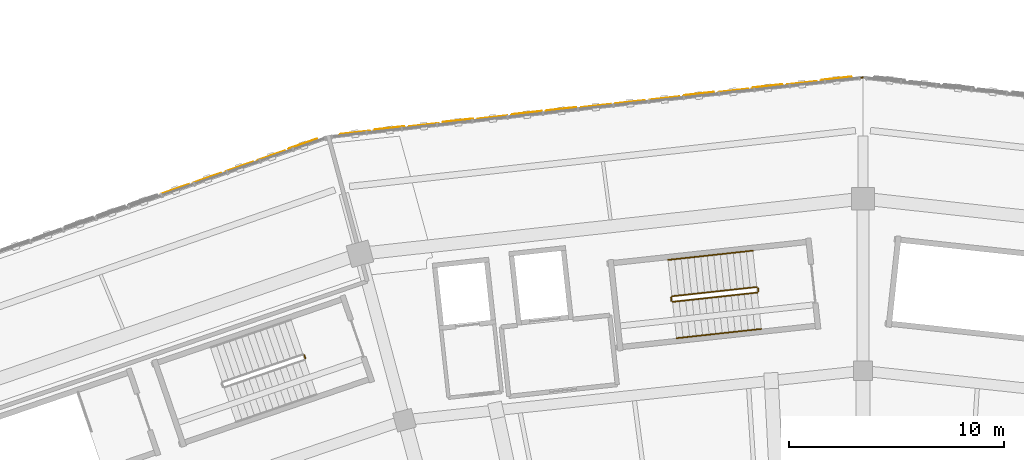
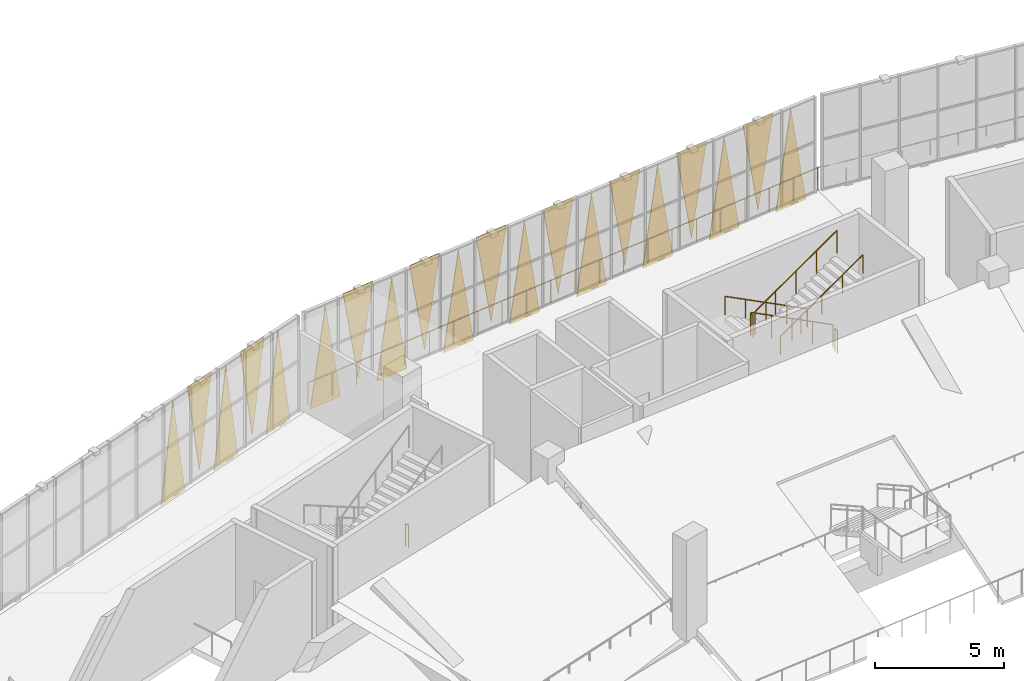
# One storey, part 145 of 152: 20 coverings, 8 railings.
"""IFC4 building model written with IfcOpenShell, lengths in metres."""

import ifcopenshell
import ifcopenshell.guid

model = None  # the IFC model being written
_history = None  # IfcOwnerHistory: only IFC2X3 demands one
_inside = {}  # id of a spatial element -> (the spatial element, [elements in it])
_under = {}  # id of a project, library or spatial element -> (it, [spatial elements below it])
_declared = {}  # id of a project -> (the project, [libraries it declares])
_typed = {}  # id of a type object -> (the type object, [elements of that type])
_made_of = {}  # id of a material, layer set ... -> (it, [elements and type objects made of it])


def new_model(schema):
    """Start an empty IFC model of exactly this schema.

    Asked for "IFC4X3", IfcOpenShell would pick the latest addendum, in which some entities
    have other attributes; the version numbers below select the first issue.
    IFC2X3 requires an IfcOwnerHistory on every rooted entity: one is made here for all.
    """
    global model, _history
    if schema == "IFC4X3":
        model = ifcopenshell.file(schema_version=(4, 3, 0, 0))
    else:
        model = ifcopenshell.file(schema=schema)
    _inside.clear()
    _under.clear()
    _declared.clear()
    _typed.clear()
    _made_of.clear()
    _history = None
    if model.schema == "IFC2X3":
        org = make("IfcOrganization", Name="unknown")
        user = make(
            "IfcPersonAndOrganization",
            ThePerson=make("IfcPerson", FamilyName="unknown"),
            TheOrganization=org,
        )
        app = make(
            "IfcApplication",
            ApplicationDeveloper=org,
            Version="unknown",
            ApplicationFullName="unknown",
            ApplicationIdentifier="unknown",
        )
        _history = make(
            "IfcOwnerHistory",
            OwningUser=user,
            OwningApplication=app,
            ChangeAction="ADDED",
            CreationDate=0,
        )
    return model


def make(cls, **values):
    """One entity of the class cls with the attributes given. An attribute that is None is left unset."""
    return model.create_entity(
        cls, **{name: value for name, value in values.items() if value is not None}
    )


def rooted(cls, **values):
    """An entity with a GlobalId (a new one), such as an element, a storey or a relation."""
    return make(cls, GlobalId=ifcopenshell.guid.new(), OwnerHistory=_history, **values)


def si_unit(unit_type, name, prefix=None):
    """IfcSIUnit, for example si_unit("LENGTHUNIT", "METRE", prefix="MILLI")."""
    return make("IfcSIUnit", UnitType=unit_type, Prefix=prefix, Name=name)


def assignment(units):
    """IfcUnitAssignment: the units of a project."""
    return None if units is None else make("IfcUnitAssignment", Units=units)


def point(xyz):
    """IfcCartesianPoint."""
    return None if xyz is None else make("IfcCartesianPoint", Coordinates=xyz)


def direction(xyz):
    """IfcDirection."""
    return None if xyz is None else make("IfcDirection", DirectionRatios=xyz)


def frame(location, z_axis=None, x_axis=None):
    """IfcAxis2Placement3D, a coordinate frame: its origin and axes. An axis left out is left unset."""
    return make(
        "IfcAxis2Placement3D",
        Location=point(location),
        Axis=direction(z_axis),
        RefDirection=direction(x_axis),
    )


def frame_2d(location, x_axis=None):
    """IfcAxis2Placement2D, a coordinate frame in the plane: its origin and x axis."""
    return make(
        "IfcAxis2Placement2D", Location=point(location), RefDirection=direction(x_axis)
    )


def origin():
    """The frame at (0, 0, 0) with its axes left unset."""
    return frame((0.0, 0.0, 0.0))


def origin_2d():
    """The frame at (0, 0) in the plane with its x axis left unset."""
    return frame_2d((0.0, 0.0))


def place(relative_to, where):
    """IfcLocalPlacement: puts the frame where relative to a parent placement (None: the world)."""
    return make(
        "IfcLocalPlacement", PlacementRelTo=relative_to, RelativePlacement=where
    )


def context(
    kind, dimensions, precision=None, world=None, true_north=None, identifier=None
):
    """IfcGeometricRepresentationContext, for example the 3D "Model" context."""
    return make(
        "IfcGeometricRepresentationContext",
        ContextIdentifier=identifier,
        ContextType=kind,
        CoordinateSpaceDimension=dimensions,
        Precision=precision,
        WorldCoordinateSystem=world,
        TrueNorth=true_north,
    )


def subcontext(parent, identifier, kind, view, scale=None):
    """IfcGeometricRepresentationSubContext, for example "Body" below "Model"."""
    return make(
        "IfcGeometricRepresentationSubContext",
        ContextIdentifier=identifier,
        ContextType=kind,
        ParentContext=parent,
        TargetScale=scale,
        TargetView=view,
    )


def project(units=None, contexts=None):
    """IfcProject with its units and contexts."""
    return rooted(
        "IfcProject",
        Name="project",
        RepresentationContexts=contexts,
        UnitsInContext=assignment(units),
    )


def spatial(cls, under=None, at=None, **own):
    """A site, building, storey or space (cls), placed at a placement, below another one or the project."""
    s = rooted(cls, ObjectPlacement=at, **own)
    if under is not None:
        _under.setdefault(under.id(), (under, []))[1].append(s)
    return s


def polyline(points):
    """IfcPolyline through the points."""
    return make("IfcPolyline", Points=[point(p) for p in points])


def profile(cls, at=None, kind="AREA", **sizes):
    """A parametric profile (cls). Its sizes go by their IFC names, for example OverallWidth=200.0."""
    return make(cls, ProfileType=kind, Position=at, **sizes)


def circle(**sizes):
    """IfcCircleProfileDef."""
    return profile("IfcCircleProfileDef", **sizes)


def outline(outer, holes=None, kind="AREA"):
    """IfcArbitraryClosedProfileDef: a profile drawn as a closed curve; with holes, ...WithVoids."""
    if holes is None:
        return make("IfcArbitraryClosedProfileDef", ProfileType=kind, OuterCurve=outer)
    return make(
        "IfcArbitraryProfileDefWithVoids",
        ProfileType=kind,
        OuterCurve=outer,
        InnerCurves=holes,
    )


def extrude(swept, where, along, depth):
    """IfcExtrudedAreaSolid: the profile swept, set in the frame where, extruded along a direction by depth."""
    return make(
        "IfcExtrudedAreaSolid",
        SweptArea=swept,
        Position=where,
        ExtrudedDirection=direction(along),
        Depth=depth,
    )


def shape(context_of_items, identifier, shape_type, items):
    """IfcShapeRepresentation: the items that make up one representation, for example the "Body"."""
    return make(
        "IfcShapeRepresentation",
        ContextOfItems=context_of_items,
        RepresentationIdentifier=identifier,
        RepresentationType=shape_type,
        Items=items,
    )


def material(Name=None, Category=None):
    """IfcMaterial."""
    return make("IfcMaterial", Name=Name, Category=Category)


def layer(
    of_material, thickness, ventilated=None, Name=None, Category=None, Priority=None
):
    """IfcMaterialLayer: one layer of a wall or slab, of a material (None: an air gap)."""
    return make(
        "IfcMaterialLayer",
        Material=of_material,
        LayerThickness=thickness,
        IsVentilated=ventilated,
        Name=Name,
        Category=Category,
        Priority=Priority,
    )


def layer_set(layers, Name=None):
    """IfcMaterialLayerSet."""
    return make("IfcMaterialLayerSet", MaterialLayers=layers, LayerSetName=Name)


def made_of(thing, what):
    """Note that an element or type object is made of a material, layer set ...; save() writes the relation."""
    if what is not None:
        _made_of.setdefault(what.id(), (what, []))[1].append(thing)
    return thing


def type_object(cls, material=None, **own):
    """A type object (cls), such as IfcWallType, which elements share."""
    return made_of(rooted(cls, **own), material)


def element(
    cls,
    number,
    at=None,
    inside=None,
    cuts=None,
    type_object=None,
    material=None,
    context=None,
    identifier="Body",
    shape_type=None,
    held_by="IfcProductDefinitionShape",
    body=None,
    shapes=None,
    **own,
):
    """One element of the class cls, such as IfcWall. Its Tag is "e" and its number.

    at: its placement. inside: the storey or other place that contains it. cuts: it is an
    opening in that element (IfcRelVoidsElement). A single representation is given by context,
    identifier, shape_type and body (its items); several are given by shapes. held_by: the class
    of the entity that holds the representations. save() writes the other relations.
    """
    e = rooted(cls, Tag="e%d" % number, ObjectPlacement=at, **own)
    if body is not None:
        shapes = [shape(context, identifier, shape_type, body)]
    if shapes is not None:
        e.Representation = make(held_by, Representations=shapes)
    if inside is not None:
        _inside.setdefault(inside.id(), (inside, []))[1].append(e)
    if cuts is not None:
        rooted(
            "IfcRelVoidsElement", RelatingBuildingElement=cuts, RelatedOpeningElement=e
        )
    if type_object is not None:
        _typed.setdefault(type_object.id(), (type_object, []))[1].append(e)
    return made_of(e, material)


def aggregate(whole, parts):
    """IfcRelAggregates: a whole, such as a stair, and the parts it consists of."""
    return rooted("IfcRelAggregates", RelatingObject=whole, RelatedObjects=parts)


def save(model, path):
    """Write the relations noted so far, then the file.

    IfcRelAggregates (storeys below a building ...), IfcRelContainedInSpatialStructure (elements
    in a storey), IfcRelDefinesByType, IfcRelAssociatesMaterial and IfcRelDeclares: one each for
    every whole, place, type object, material and project.
    """
    for whole, parts in _under.values():
        aggregate(whole, parts)
    for where, things in _inside.values():
        rooted(
            "IfcRelContainedInSpatialStructure",
            RelatedElements=things,
            RelatingStructure=where,
        )
    for kind, things in _typed.values():
        rooted("IfcRelDefinesByType", RelatedObjects=things, RelatingType=kind)
    for what, things in _made_of.values():
        rooted("IfcRelAssociatesMaterial", RelatedObjects=things, RelatingMaterial=what)
    for by, libraries in _declared.values():
        rooted("IfcRelDeclares", RelatingContext=by, RelatedDefinitions=libraries)
    model.write(path)


model = new_model("IFC4")

# Units and contexts
model_context = context("Model", 3, precision=1e-05, world=origin(), true_north=direction((0.0, 1.0)))
body_context = subcontext(model_context, "Body", "Model", "MODEL_VIEW")
ifc_project = project(units=[si_unit("LENGTHUNIT", "METRE"), si_unit("AREAUNIT", "SQUARE_METRE"), si_unit("VOLUMEUNIT", "CUBIC_METRE"), si_unit("PLANEANGLEUNIT", "RADIAN"), si_unit("MASSUNIT", "GRAM", prefix="KILO")], contexts=[model_context])

# Site, building, storey
site_placement = place(None, origin())
site = spatial("IfcSite", under=ifc_project, at=site_placement, CompositionType="ELEMENT")
building_placement = place(site_placement, origin())
building = spatial("IfcBuilding", under=site, at=building_placement, Name="Zevraka Park Crest Stadium", CompositionType="ELEMENT")
storey_placement = place(building_placement, frame((0.0, 0.0, 15.0)))
storey = spatial("IfcBuildingStorey", under=building, at=storey_placement, Name="L03", CompositionType="ELEMENT", Elevation=15.0)

# Coverings
ifc_material_1 = material(Name="Architectural golden-bronze perforated aluminium", Category="aluminium")
ifc_layer = layer(ifc_material_1, 0.034912109375)
ifc_layer_set = layer_set([ifc_layer], Name="Architectural golden-bronze perforated aluminium")
covering_type = type_object("IfcCoveringType", Name="CLD01", PredefinedType="CLADDING", material=ifc_layer_set)
covering_1_placement = place(storey_placement, frame((111.472900390625, 172.94091796875, -0.260009765625), z_axis=(0.109857339416, -0.993947356621, 0.000131307778), x_axis=(-0.99394736519, -0.109857340363, 0.0)))
element("IfcCovering", 1, at=covering_1_placement, inside=storey, type_object=covering_type, Name="Triangular Golden-Bronze Perforated Cladding L03-06-1", PredefinedType="CLADDING", context=body_context, shape_type="SweptSolid", body=[
    extrude(outline(polyline([(0.0, 0.0), (1.4467448997915233, 3.3881317890172014e-21), (0.7233053982964189, -4.620117227329413), (0.0, 0.0)])), origin(), (0.0, 0.0, -1.0), 0.034912109375),
])
covering_2_placement = place(storey_placement, frame((108.43896484375, 172.60400390625, 4.52001953125), z_axis=(-0.110598317724, 0.993865187976, 1.5655252e-05), x_axis=(0.993865188098, 0.110598317738, 0.0)))
element("IfcCovering", 2, at=covering_2_placement, inside=storey, type_object=covering_type, Name="Triangular Golden-Bronze Perforated Cladding L03-06-2", PredefinedType="CLADDING", context=body_context, shape_type="SweptSolid", body=[
    extrude(outline(polyline([(0.0, 0.0), (1.4458819324376355, 0.0), (0.723439752726402, 4.300048828651943), (0.0, 0.0)])), origin(), (0.0, 0.0, -1.0), 0.034912109375),
])
covering_3_placement = place(storey_placement, frame((108.280029296875, 172.5869140625, -0.260009765625), z_axis=(0.110524126296, -0.993873441046, 2.6259603e-05), x_axis=(-0.993873441389, -0.110524126334, 0.0)))
element("IfcCovering", 3, at=covering_3_placement, inside=storey, type_object=covering_type, Name="Triangular Golden-Bronze Perforated Cladding L03-06-3", PredefinedType="CLADDING", context=body_context, shape_type="SweptSolid", body=[
    extrude(outline(polyline([(0.0, 0.0), (1.446852507941667, 0.0), (0.723412762256193, -4.62011718909294), (0.0, 0.0)])), origin(), (0.0, 0.0, -1.0), 0.034912109375),
])
covering_4_placement = place(storey_placement, frame((105.2451171875, 172.25, 4.52001953125), z_axis=(-0.10985733927, 0.993947355298, 0.000141081496), x_axis=(0.99394736519, 0.109857340363, 0.0)))
element("IfcCovering", 4, at=covering_4_placement, inside=storey, type_object=covering_type, Name="Triangular Golden-Bronze Perforated Cladding L03-06-4", PredefinedType="CLADDING", context=body_context, shape_type="SweptSolid", body=[
    extrude(outline(polyline([(0.0, 0.0), (1.4467448997915233, 0.0), (0.7234395014951044, 4.300048870919063), (0.0, 0.0)])), origin(), (0.0, 0.0, -1.0), 0.034912109375),
])
covering_5_placement = place(storey_placement, frame((105.0859375, 172.23193359375, -0.260009765625), z_axis=(0.110524126296, -0.993873441046, 2.6259603e-05), x_axis=(-0.993873441389, -0.110524126334, 0.0)))
element("IfcCovering", 5, at=covering_5_placement, inside=storey, type_object=covering_type, Name="Triangular Golden-Bronze Perforated Cladding L03-06-5", PredefinedType="CLADDING", context=body_context, shape_type="SweptSolid", body=[
    extrude(outline(polyline([(0.0, 0.0), (1.446852507941667, 0.0), (0.723412762256193, -4.62011718909294), (0.0, 0.0)])), origin(), (0.0, 0.0, -1.0), 0.034912109375),
])
covering_6_placement = place(storey_placement, frame((102.051025390625, 171.89501953125, 4.52001953125), z_axis=(-0.11052412629, 0.993873440993, 2.8214201e-05), x_axis=(0.993873441389, 0.110524126334, 0.0)))
element("IfcCovering", 6, at=covering_6_placement, inside=storey, type_object=covering_type, Name="Triangular Golden-Bronze Perforated Cladding L03-06-6", PredefinedType="CLADDING", context=body_context, shape_type="SweptSolid", body=[
    extrude(outline(polyline([(0.0, 0.0), (1.446852507941667, 0.0), (0.7234397456854739, 4.300048829836508), (0.0, 0.0)])), origin(), (0.0, 0.0, -1.0), 0.034912109375),
])
covering_7_placement = place(storey_placement, frame((101.89208984375, 171.876953125, -0.260009765625), z_axis=(-0.109857340022, 0.993947362105, 7.8784667e-05), x_axis=(-0.99394736519, -0.109857340363, 0.0)))
element("IfcCovering", 7, at=covering_7_placement, inside=storey, type_object=covering_type, Name="Triangular Golden-Bronze Perforated Cladding L03-06-7", PredefinedType="CLADDING", context=body_context, shape_type="SweptSolid", body=[
    extrude(outline(polyline([(0.0, 0.0), (1.4467448997915233, 1.6940658945086007e-21), (0.7234126808553673, 4.62011720183859), (0.0, 0.0)])), origin(), (0.0, 0.0, -1.0), 0.034912109375),
])
covering_8_placement = place(storey_placement, frame((98.85791015625, 171.5400390625, 4.52001953125), z_axis=(-0.110598317724, 0.993865187976, 1.5655252e-05), x_axis=(0.993865188098, 0.110598317738, 0.0)))
element("IfcCovering", 8, at=covering_8_placement, inside=storey, type_object=covering_type, Name="Triangular Golden-Bronze Perforated Cladding L03-06-8", PredefinedType="CLADDING", context=body_context, shape_type="SweptSolid", body=[
    extrude(outline(polyline([(0.0, 0.0), (1.4458819324376355, 0.0), (0.723439752726402, 4.300048828651943), (0.0, 0.0)])), origin(), (0.0, 0.0, -1.0), 0.034912109375),
])
covering_9_placement = place(storey_placement, frame((98.698974609375, 171.52197265625, -0.260009765625), z_axis=(0.109857339416, -0.993947356621, 0.000131307778), x_axis=(-0.99394736519, -0.109857340363, 0.0)))
element("IfcCovering", 9, at=covering_9_placement, inside=storey, type_object=covering_type, Name="Triangular Golden-Bronze Perforated Cladding L03-06-9", PredefinedType="CLADDING", context=body_context, shape_type="SweptSolid", body=[
    extrude(outline(polyline([(0.0, 0.0), (1.4467448997915233, 3.3881317890172014e-21), (0.7233053982964189, -4.620117227329413), (0.0, 0.0)])), origin(), (0.0, 0.0, -1.0), 0.034912109375),
])
covering_10_placement = place(storey_placement, frame((95.6640625, 171.18505859375, 4.52001953125), z_axis=(0.11052412629, -0.993873440993, 2.8214201e-05), x_axis=(0.993873441389, 0.110524126334, 0.0)))
element("IfcCovering", 10, at=covering_10_placement, inside=storey, type_object=covering_type, Name="Triangular Golden-Bronze Perforated Cladding L03-06-10", PredefinedType="CLADDING", context=body_context, shape_type="SweptSolid", body=[
    extrude(outline(polyline([(0.0, 0.0), (1.446852507941667, 0.0), (0.723412762256193, -4.300048829836508), (0.0, 0.0)])), origin(), (0.0, 0.0, -1.0), 0.034912109375),
])
covering_11_placement = place(storey_placement, frame((95.5048828125, 171.16796875, -0.260009765625), z_axis=(-0.110524126296, 0.993873441046, 2.6259603e-05), x_axis=(-0.993873441389, -0.110524126334, 0.0)))
element("IfcCovering", 11, at=covering_11_placement, inside=storey, type_object=covering_type, Name="Triangular Golden-Bronze Perforated Cladding L03-06-11", PredefinedType="CLADDING", context=body_context, shape_type="SweptSolid", body=[
    extrude(outline(polyline([(0.0, 0.0), (1.446852507941667, 0.0), (0.7234397456854739, 4.62011718909294), (0.0, 0.0)])), origin(), (0.0, 0.0, -1.0), 0.034912109375),
])
covering_12_placement = place(storey_placement, frame((92.469970703125, 170.8310546875, 4.52001953125), z_axis=(0.10985733927, -0.993947355298, 0.000141081496), x_axis=(0.99394736519, 0.109857340363, 0.0)))
element("IfcCovering", 12, at=covering_12_placement, inside=storey, type_object=covering_type, Name="Triangular Golden-Bronze Perforated Cladding L03-06-12", PredefinedType="CLADDING", context=body_context, shape_type="SweptSolid", body=[
    extrude(outline(polyline([(0.0, 0.0), (1.4467448997915233, 0.0), (0.7233053982964189, -4.300048870919063), (0.0, 0.0)])), origin(), (0.0, 0.0, -1.0), 0.034912109375),
])
covering_13_placement = place(storey_placement, frame((92.31103515625, 170.81298828125, -0.260009765625), z_axis=(-0.110524126296, 0.993873441046, 2.6259603e-05), x_axis=(-0.993873441389, -0.110524126334, 0.0)))
element("IfcCovering", 13, at=covering_13_placement, inside=storey, type_object=covering_type, Name="Triangular Golden-Bronze Perforated Cladding L03-06-13", PredefinedType="CLADDING", context=body_context, shape_type="SweptSolid", body=[
    extrude(outline(polyline([(0.0, 0.0), (1.446852507941667, 0.0), (0.7234397456854739, 4.62011718909294), (0.0, 0.0)])), origin(), (0.0, 0.0, -1.0), 0.034912109375),
])
covering_14_placement = place(storey_placement, frame((89.277099609375, 170.47607421875, 4.52001953125), z_axis=(0.110598317724, -0.993865187976, 1.5655252e-05), x_axis=(0.993865188098, 0.110598317738, 0.0)))
element("IfcCovering", 14, at=covering_14_placement, inside=storey, type_object=covering_type, Name="Triangular Golden-Bronze Perforated Cladding L03-06-14", PredefinedType="CLADDING", context=body_context, shape_type="SweptSolid", body=[
    extrude(outline(polyline([(0.0, 0.0), (1.4458819324376355, 0.0), (0.7224421797112335, -4.300048828651943), (0.0, 0.0)])), origin(), (0.0, 0.0, -1.0), 0.034912109375),
])
covering_15_placement = place(storey_placement, frame((89.117919921875, 170.4580078125, -0.260009765625), z_axis=(-0.109857339416, 0.993947356621, 0.000131307778), x_axis=(-0.99394736519, -0.109857340363, 0.0)))
element("IfcCovering", 15, at=covering_15_placement, inside=storey, type_object=covering_type, Name="Triangular Golden-Bronze Perforated Cladding L03-06-15", PredefinedType="CLADDING", context=body_context, shape_type="SweptSolid", body=[
    extrude(outline(polyline([(0.0, 0.0), (1.4467448997915233, 3.3881317890172014e-21), (0.7234395014951044, 4.620117227329413), (0.0, 0.0)])), origin(), (0.0, 0.0, -1.0), 0.034912109375),
])
covering_16_placement = place(storey_placement, frame((86.653076171875, 170.06494140625, -0.260009765625), z_axis=(0.329958563516, -0.943995409368, 0.000115990765), x_axis=(-0.943995415719, -0.329958565735, 0.0)))
element("IfcCovering", 16, at=covering_16_placement, inside=storey, type_object=covering_type, Name="Triangular Golden-Bronze Perforated Cladding L03-07-1", PredefinedType="CLADDING", context=body_context, shape_type="SweptSolid", body=[
    extrude(outline(polyline([(0.0, 0.0), (1.415453526972662, 0.0), (0.7074101389447789, -4.6201172185792), (0.0, 0.0)])), origin(), (0.0, 0.0, -1.0), 0.034912109375),
])
covering_17_placement = place(storey_placement, frame((83.830078125, 169.0791015625, 4.52001953125), z_axis=(-0.329243357705, 0.944245101341, 0.0), x_axis=(0.944245101341, 0.329243357705, 0.0)))
element("IfcCovering", 17, at=covering_17_placement, inside=storey, type_object=covering_type, Name="Triangular Golden-Bronze Perforated Cladding L03-07-2", PredefinedType="CLADDING", context=body_context, shape_type="SweptSolid", body=[
    extrude(outline(polyline([(0.0, 0.0), (1.414820683847903, 0.0), (0.7074103419239515, 4.300048828125), (0.0, 0.0)])), origin(), (0.0, 0.0, -1.0), 0.034912109375),
])
covering_18_placement = place(storey_placement, frame((83.678955078125, 169.02587890625, -0.260009765625), z_axis=(-0.329858561276, 0.944030359469, 9.97707e-05), x_axis=(-0.944030364167, -0.329858562918, 0.0)))
element("IfcCovering", 18, at=covering_18_placement, inside=storey, type_object=covering_type, Name="Triangular Golden-Bronze Perforated Cladding L03-07-3", PredefinedType="CLADDING", context=body_context, shape_type="SweptSolid", body=[
    extrude(outline(polyline([(0.0, 0.0), (1.415142510991743, -6.776263578034403e-21), (0.7077323192472964, 4.620117210494767), (0.0, 0.0)])), origin(), (0.0, 0.0, -1.0), 0.034912109375),
])
covering_19_placement = place(storey_placement, frame((80.85595703125, 168.0390625, 4.52001953125), z_axis=(-0.33001229755, 0.943976629479, 8.0393172e-05), x_axis=(0.94397663253, 0.330012298616, 0.0)))
element("IfcCovering", 19, at=covering_19_placement, inside=storey, type_object=covering_type, Name="Triangular Golden-Bronze Perforated Cladding L03-07-4", PredefinedType="CLADDING", context=body_context, shape_type="SweptSolid", body=[
    extrude(outline(polyline([(0.0, 0.0), (1.4152230616345545, 0.0), (0.70773238493054, 4.300048842020742), (0.0, 0.0)])), origin(), (0.0, 0.0, -1.0), 0.034912109375),
])
covering_20_placement = place(storey_placement, frame((80.705078125, 167.986083984375, -0.260009765625), z_axis=(-0.329343541036, 0.944210162435, 3.3649168e-05), x_axis=(-0.94421016297, -0.329343541222, 0.0)))
element("IfcCovering", 20, at=covering_20_placement, inside=storey, type_object=covering_type, Name="Triangular Golden-Bronze Perforated Cladding L03-07-5", PredefinedType="CLADDING", context=body_context, shape_type="SweptSolid", body=[
    extrude(outline(polyline([(0.0, 0.0), (1.4151316020815952, 0.0), (0.7074907440801351, 4.620117190115602), (0.0, 0.0)])), origin(), (0.0, 0.0, -1.0), 0.034912109375),
])

# Railings
ifc_material_2 = material(Name="Galvanised and bronze-finished steel balustrade", Category="steel")
railing_type_1 = type_object("IfcRailingType", Name="GR01", PredefinedType="GUARDRAIL", material=ifc_material_2)
railing_1_placement = place(storey_placement, frame((87.54296875, 170.212890625, 0.0)))
element("IfcRailing", 21, at=railing_1_placement, inside=storey, type_object=railing_type_1, Name="Deck Edge Protection Guardrail GR01 L03-7", PredefinedType="GUARDRAIL", context=body_context, shape_type="SweptSolid", body=[
    extrude(circle(Radius=0.02392578125, at=origin_2d()), frame((0.0, 0.0, 1.076171875), z_axis=(0.993885549429, 0.110415192058, 0.0), x_axis=(-0.110415192058, 0.993885549429, 0.0)), (0.0, 0.0, 1.0), 24.607421875),
    extrude(circle(Radius=0.02099609375, at=origin_2d()), origin(), (0.0, 0.0, 1.0), 1.052001953125),
    extrude(circle(Radius=0.02099609375, at=origin_2d()), frame((1.16455078125, 0.12939453125, 0.0)), (0.0, 0.0, 1.0), 1.052001953125),
    extrude(circle(Radius=0.02099609375, at=origin_2d()), frame((2.329345703125, 0.2587890625, 0.0)), (0.0, 0.0, 1.0), 1.052001953125),
    extrude(circle(Radius=0.02099609375, at=origin_2d()), frame((3.493896484375, 0.38818359375, 0.0)), (0.0, 0.0, 1.0), 1.052001953125),
    extrude(circle(Radius=0.02099609375, at=origin_2d()), frame((4.658447265625, 0.517578125, 0.0)), (0.0, 0.0, 1.0), 1.052001953125),
    extrude(circle(Radius=0.02099609375, at=origin_2d()), frame((5.822998046875, 0.64697265625, 0.0)), (0.0, 0.0, 1.0), 1.052001953125),
    extrude(circle(Radius=0.02099609375, at=origin_2d()), frame((6.98779296875, 0.7763671875, 0.0)), (0.0, 0.0, 1.0), 1.052001953125),
    extrude(circle(Radius=0.02099609375, at=origin_2d()), frame((8.15234375, 0.90576171875, 0.0)), (0.0, 0.0, 1.0), 1.052001953125),
    extrude(circle(Radius=0.02099609375, at=origin_2d()), frame((9.31689453125, 1.03515625, 0.0)), (0.0, 0.0, 1.0), 1.052001953125),
    extrude(circle(Radius=0.02099609375, at=origin_2d()), frame((10.481689453125, 1.16455078125, 0.0)), (0.0, 0.0, 1.0), 1.052001953125),
    extrude(circle(Radius=0.02099609375, at=origin_2d()), frame((11.646240234375, 1.2939453125, 0.0)), (0.0, 0.0, 1.0), 1.052001953125),
    extrude(circle(Radius=0.02099609375, at=origin_2d()), frame((12.810791015625, 1.423095703125, 0.0)), (0.0, 0.0, 1.0), 1.052001953125),
    extrude(circle(Radius=0.02099609375, at=origin_2d()), frame((13.975341796875, 1.552490234375, 0.0)), (0.0, 0.0, 1.0), 1.052001953125),
    extrude(circle(Radius=0.02099609375, at=origin_2d()), frame((15.14013671875, 1.681884765625, 0.0)), (0.0, 0.0, 1.0), 1.052001953125),
    extrude(circle(Radius=0.02099609375, at=origin_2d()), frame((16.3046875, 1.811279296875, 0.0)), (0.0, 0.0, 1.0), 1.052001953125),
    extrude(circle(Radius=0.02099609375, at=origin_2d()), frame((17.46923828125, 1.940673828125, 0.0)), (0.0, 0.0, 1.0), 1.052001953125),
    extrude(circle(Radius=0.02099609375, at=origin_2d()), frame((18.634033203125, 2.070068359375, 0.0)), (0.0, 0.0, 1.0), 1.052001953125),
    extrude(circle(Radius=0.02099609375, at=origin_2d()), frame((19.798583984375, 2.199462890625, 0.0)), (0.0, 0.0, 1.0), 1.052001953125),
    extrude(circle(Radius=0.02099609375, at=origin_2d()), frame((20.963134765625, 2.328857421875, 0.0)), (0.0, 0.0, 1.0), 1.052001953125),
    extrude(circle(Radius=0.02099609375, at=origin_2d()), frame((22.127685546875, 2.458251953125, 0.0)), (0.0, 0.0, 1.0), 1.052001953125),
    extrude(circle(Radius=0.02099609375, at=origin_2d()), frame((23.29248046875, 2.587646484375, 0.0)), (0.0, 0.0, 1.0), 1.052001953125),
    extrude(circle(Radius=0.02099609375, at=origin_2d()), frame((24.45703125, 2.717041015625, 0.0)), (0.0, 0.0, 1.0), 1.052001953125),
])
ifc_material_3 = material(Name="Powder-coated tubular steel stairwell guard", Category="steel")
railing_type_2 = type_object("IfcRailingType", Name="GR03", PredefinedType="GUARDRAIL", material=ifc_material_3)
railing_2_placement = place(storey_placement, frame((107.067138671875, 163.19384765625, 0.17138671875)))
element("IfcRailing", 22, at=railing_2_placement, inside=storey, type_object=railing_type_2, Name="L03 ST07 stair guard 1", PredefinedType="GUARDRAIL", context=body_context, shape_type="SweptSolid", body=[
    extrude(circle(Radius=0.02392578125, at=origin_2d()), frame((0.0, 0.0, 1.076171875), z_axis=(-0.866632504116, -0.094360209478, 0.489943112695), x_axis=(0.108241734952, -0.994124603264, 0.0)), (0.0, 0.0, 1.0), 4.548583984375),
    extrude(circle(Radius=0.02099609375, at=origin_2d()), origin(), (0.0, 0.0, 1.0), 1.052001953125),
    extrude(circle(Radius=0.02099609375, at=origin_2d()), frame((-0.9853515625, -0.107421875, 0.55712890625)), (0.0, 0.0, 1.0), 1.052001953125),
    extrude(circle(Radius=0.02099609375, at=origin_2d()), frame((-1.970947265625, -0.214599609375, 1.1142578125)), (0.0, 0.0, 1.0), 1.052001953125),
    extrude(circle(Radius=0.02099609375, at=origin_2d()), frame((-2.95654296875, -0.32177734375, 1.67138671875)), (0.0, 0.0, 1.0), 1.052001953125),
    extrude(circle(Radius=0.02099609375, at=origin_2d()), frame((-3.94189453125, -0.42919921875, 2.228515625)), (0.0, 0.0, 1.0), 1.052001953125),
])
railing_3_placement = place(storey_placement, frame((103.0810546875, 162.70947265625, 2.39990234375)))
element("IfcRailing", 23, at=railing_3_placement, inside=storey, type_object=railing_type_2, Name="L03 ST07 stair guard 2", PredefinedType="GUARDRAIL", context=body_context, shape_type="SweptSolid", body=[
    extrude(circle(Radius=0.02392578125, at=origin_2d()), frame((0.0, 0.0, 1.076171875), z_axis=(0.108420072245, -0.994105169454, 0.0), x_axis=(0.994105169454, 0.108420072245, 0.0)), (0.0, 0.0, 1.0), 0.159912109375),
    extrude(circle(Radius=0.02099609375, at=origin_2d()), origin(), (0.0, 0.0, 1.0), 1.052001953125),
    extrude(circle(Radius=0.02099609375, at=origin_2d()), frame((0.017333984375, -0.158935546875, 0.0)), (0.0, 0.0, 1.0), 1.052001953125),
])
railing_4_placement = place(storey_placement, frame((103.153564453125, 162.506103515625, 2.571533203125)))
element("IfcRailing", 24, at=railing_4_placement, inside=storey, type_object=railing_type_2, Name="L03 ST07 stair guard 3", PredefinedType="GUARDRAIL", context=body_context, shape_type="SweptSolid", body=[
    extrude(circle(Radius=0.02392578125, at=origin_2d()), frame((0.0, 0.0, 1.076171875), z_axis=(0.866619140956, 0.094364598935, 0.489965903911), x_axis=(-0.108248360745, 0.994123881816, 0.0)), (0.0, 0.0, 1.0), 4.54833984375),
    extrude(circle(Radius=0.02099609375, at=origin_2d()), origin(), (0.0, 0.0, 1.0), 1.052001953125),
    extrude(circle(Radius=0.02099609375, at=origin_2d()), frame((0.9853515625, 0.107421875, 0.55712890625)), (0.0, 0.0, 1.0), 1.052001953125),
    extrude(circle(Radius=0.02099609375, at=origin_2d()), frame((1.970703125, 0.214599609375, 1.1142578125)), (0.0, 0.0, 1.0), 1.052001953125),
    extrude(circle(Radius=0.02099609375, at=origin_2d()), frame((2.956298828125, 0.32177734375, 1.67138671875)), (0.0, 0.0, 1.0), 1.052001953125),
    extrude(circle(Radius=0.02099609375, at=origin_2d()), frame((3.941650390625, 0.42919921875, 2.228515625)), (0.0, 0.0, 1.0), 1.052001953125),
])
railing_5_placement = place(storey_placement, frame((107.1220703125, 163.1494140625, 0.0)))
element("IfcRailing", 25, at=railing_5_placement, inside=storey, type_object=railing_type_2, Name="L03 ST07 stair guard 4", PredefinedType="GUARDRAIL", context=body_context, shape_type="SweptSolid", body=[
    extrude(circle(Radius=0.02392578125, at=origin_2d()), frame((0.0, 0.0, 1.076171875), z_axis=(0.108420072245, -0.994105169454, 0.0), x_axis=(0.994105169454, 0.108420072245, 0.0)), (0.0, 0.0, 1.0), 0.159912109375),
    extrude(circle(Radius=0.02099609375, at=origin_2d()), origin(), (0.0, 0.0, 1.0), 1.052001953125),
    extrude(circle(Radius=0.02099609375, at=origin_2d()), frame((0.017333984375, -0.158935546875, 0.0)), (0.0, 0.0, 1.0), 1.052001953125),
])
railing_6_placement = place(storey_placement, frame((86.04736328125, 160.0322265625, 0.0)))
element("IfcRailing", 26, at=railing_6_placement, inside=storey, type_object=railing_type_2, Name="L03 ST08 stair guard 4", PredefinedType="GUARDRAIL", context=body_context, shape_type="SweptSolid", body=[
    extrude(circle(Radius=0.02392578125, at=origin_2d()), frame((0.0, 0.0, 1.076171875), z_axis=(0.32354385955, -0.946213174156, 0.0), x_axis=(0.946213174156, 0.32354385955, 0.0)), (0.0, 0.0, 1.0), 0.159912109375),
    extrude(circle(Radius=0.02099609375, at=origin_2d()), origin(), (0.0, 0.0, 1.0), 1.052001953125),
    extrude(circle(Radius=0.02099609375, at=origin_2d()), frame((0.0517578125, -0.1513671875, 0.0)), (0.0, 0.0, 1.0), 1.052001953125),
])
ifc_material_4 = material(Name="Brushed stainless steel continuous handrail", Category="steel")
railing_type_3 = type_object("IfcRailingType", Name="HR01", PredefinedType="HANDRAIL", material=ifc_material_4)
railing_7_placement = place(storey_placement, frame((106.883056640625, 164.8837890625, 0.17138671875)))
element("IfcRailing", 27, at=railing_7_placement, inside=storey, type_object=railing_type_3, Name="L03 ST07 stair handrail 1", PredefinedType="HANDRAIL", context=body_context, shape_type="SweptSolid", body=[
    extrude(circle(Radius=0.02392578125, at=origin_2d()), frame((0.0, 0.0, 0.8759765625), z_axis=(-0.866619140956, -0.094364598935, 0.489965903911), x_axis=(0.108248360745, -0.994123881816, 0.0)), (0.0, 0.0, 1.0), 4.54833984375),
    extrude(circle(Radius=0.02099609375, at=origin_2d()), origin(), (0.0, 0.0, 1.0), 0.851806640625),
    extrude(circle(Radius=0.02099609375, at=origin_2d()), frame((-0.9853515625, -0.107421875, 0.55712890625)), (0.0, 0.0, 1.0), 0.851806640625),
    extrude(circle(Radius=0.02099609375, at=origin_2d()), frame((-1.970703125, -0.214599609375, 1.1142578125)), (0.0, 0.0, 1.0), 0.851806640625),
    extrude(circle(Radius=0.02099609375, at=origin_2d()), frame((-2.956298828125, -0.32177734375, 1.67138671875)), (0.0, 0.0, 1.0), 0.851806640625),
    extrude(circle(Radius=0.02099609375, at=origin_2d()), frame((-3.941650390625, -0.42919921875, 2.228515625)), (0.0, 0.0, 1.0), 0.851806640625),
])
railing_8_placement = place(storey_placement, frame((103.33740234375, 160.816162109375, 2.571533203125)))
element("IfcRailing", 28, at=railing_8_placement, inside=storey, type_object=railing_type_3, Name="L03 ST07 stair handrail 2", PredefinedType="HANDRAIL", context=body_context, shape_type="SweptSolid", body=[
    extrude(circle(Radius=0.02392578125, at=origin_2d()), frame((0.0, 0.0, 0.8759765625), z_axis=(0.866619140956, 0.094364598935, 0.489965903911), x_axis=(-0.108248360745, 0.994123881816, 0.0)), (0.0, 0.0, 1.0), 4.54833984375),
    extrude(circle(Radius=0.02099609375, at=origin_2d()), origin(), (0.0, 0.0, 1.0), 0.851806640625),
    extrude(circle(Radius=0.02099609375, at=origin_2d()), frame((0.9853515625, 0.107421875, 0.55712890625)), (0.0, 0.0, 1.0), 0.851806640625),
    extrude(circle(Radius=0.02099609375, at=origin_2d()), frame((1.970703125, 0.214599609375, 1.1142578125)), (0.0, 0.0, 1.0), 0.851806640625),
    extrude(circle(Radius=0.02099609375, at=origin_2d()), frame((2.956298828125, 0.32177734375, 1.67138671875)), (0.0, 0.0, 1.0), 0.851806640625),
    extrude(circle(Radius=0.02099609375, at=origin_2d()), frame((3.941650390625, 0.42919921875, 2.228515625)), (0.0, 0.0, 1.0), 0.851806640625),
])

save(model, "model.ifc")
